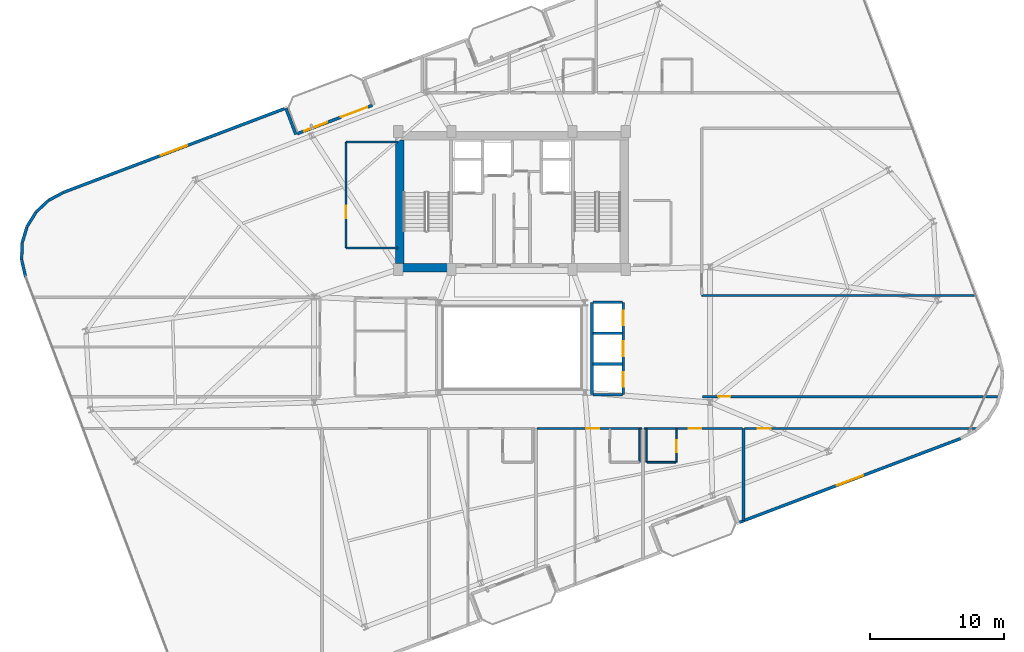
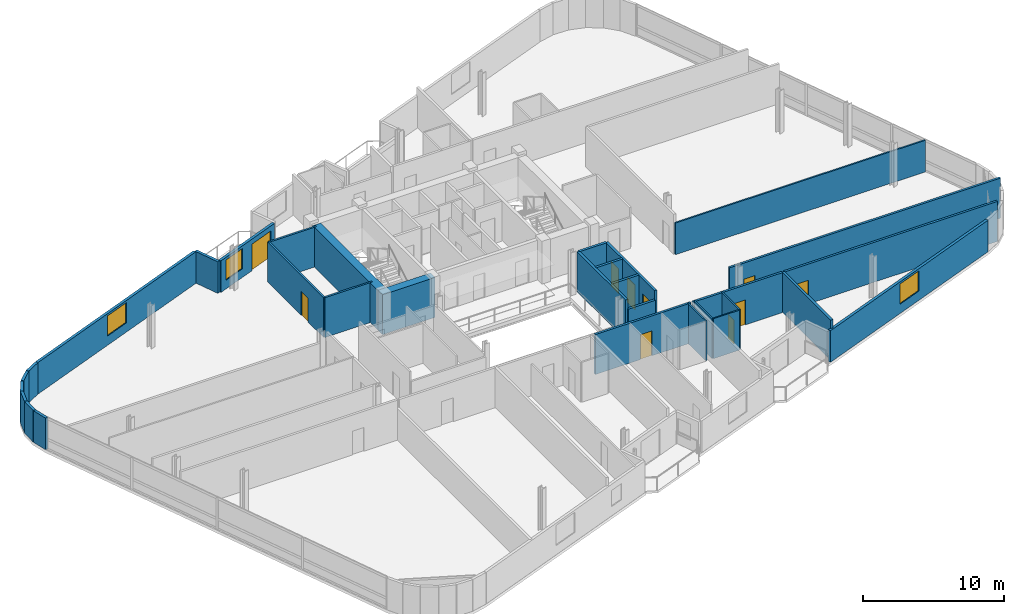
# One storey, part 19 of 24: 31 walls, 10 doors, 3 windows, 13 openings.
"""IFC4 building model written with IfcOpenShell, lengths in metres."""

import ifcopenshell
import ifcopenshell.guid

model = None  # the IFC model being written
_history = None  # IfcOwnerHistory: only IFC2X3 demands one
_inside = {}  # id of a spatial element -> (the spatial element, [elements in it])
_under = {}  # id of a project, library or spatial element -> (it, [spatial elements below it])
_declared = {}  # id of a project -> (the project, [libraries it declares])
_typed = {}  # id of a type object -> (the type object, [elements of that type])
_made_of = {}  # id of a material, layer set ... -> (it, [elements and type objects made of it])


def new_model(schema):
    """Start an empty IFC model of exactly this schema.

    Asked for "IFC4X3", IfcOpenShell would pick the latest addendum, in which some entities
    have other attributes; the version numbers below select the first issue.
    IFC2X3 requires an IfcOwnerHistory on every rooted entity: one is made here for all.
    """
    global model, _history
    if schema == "IFC4X3":
        model = ifcopenshell.file(schema_version=(4, 3, 0, 0))
    else:
        model = ifcopenshell.file(schema=schema)
    _inside.clear()
    _under.clear()
    _declared.clear()
    _typed.clear()
    _made_of.clear()
    _history = None
    if model.schema == "IFC2X3":
        org = make("IfcOrganization", Name="unknown")
        user = make(
            "IfcPersonAndOrganization",
            ThePerson=make("IfcPerson", FamilyName="unknown"),
            TheOrganization=org,
        )
        app = make(
            "IfcApplication",
            ApplicationDeveloper=org,
            Version="unknown",
            ApplicationFullName="unknown",
            ApplicationIdentifier="unknown",
        )
        _history = make(
            "IfcOwnerHistory",
            OwningUser=user,
            OwningApplication=app,
            ChangeAction="ADDED",
            CreationDate=0,
        )
    return model


def make(cls, **values):
    """One entity of the class cls with the attributes given. An attribute that is None is left unset."""
    return model.create_entity(
        cls, **{name: value for name, value in values.items() if value is not None}
    )


def rooted(cls, **values):
    """An entity with a GlobalId (a new one), such as an element, a storey or a relation."""
    return make(cls, GlobalId=ifcopenshell.guid.new(), OwnerHistory=_history, **values)


def si_unit(unit_type, name, prefix=None):
    """IfcSIUnit, for example si_unit("LENGTHUNIT", "METRE", prefix="MILLI")."""
    return make("IfcSIUnit", UnitType=unit_type, Prefix=prefix, Name=name)


def assignment(units):
    """IfcUnitAssignment: the units of a project."""
    return None if units is None else make("IfcUnitAssignment", Units=units)


def point(xyz):
    """IfcCartesianPoint."""
    return None if xyz is None else make("IfcCartesianPoint", Coordinates=xyz)


def direction(xyz):
    """IfcDirection."""
    return None if xyz is None else make("IfcDirection", DirectionRatios=xyz)


def frame(location, z_axis=None, x_axis=None):
    """IfcAxis2Placement3D, a coordinate frame: its origin and axes. An axis left out is left unset."""
    return make(
        "IfcAxis2Placement3D",
        Location=point(location),
        Axis=direction(z_axis),
        RefDirection=direction(x_axis),
    )


def frame_2d(location, x_axis=None):
    """IfcAxis2Placement2D, a coordinate frame in the plane: its origin and x axis."""
    return make(
        "IfcAxis2Placement2D", Location=point(location), RefDirection=direction(x_axis)
    )


def origin():
    """The frame at (0, 0, 0) with its axes left unset."""
    return frame((0.0, 0.0, 0.0))


def place(relative_to, where):
    """IfcLocalPlacement: puts the frame where relative to a parent placement (None: the world)."""
    return make(
        "IfcLocalPlacement", PlacementRelTo=relative_to, RelativePlacement=where
    )


def context(
    kind, dimensions, precision=None, world=None, true_north=None, identifier=None
):
    """IfcGeometricRepresentationContext, for example the 3D "Model" context."""
    return make(
        "IfcGeometricRepresentationContext",
        ContextIdentifier=identifier,
        ContextType=kind,
        CoordinateSpaceDimension=dimensions,
        Precision=precision,
        WorldCoordinateSystem=world,
        TrueNorth=true_north,
    )


def subcontext(parent, identifier, kind, view, scale=None):
    """IfcGeometricRepresentationSubContext, for example "Body" below "Model"."""
    return make(
        "IfcGeometricRepresentationSubContext",
        ContextIdentifier=identifier,
        ContextType=kind,
        ParentContext=parent,
        TargetScale=scale,
        TargetView=view,
    )


def project(units=None, contexts=None):
    """IfcProject with its units and contexts."""
    return rooted(
        "IfcProject",
        Name="project",
        RepresentationContexts=contexts,
        UnitsInContext=assignment(units),
    )


def spatial(cls, under=None, at=None, **own):
    """A site, building, storey or space (cls), placed at a placement, below another one or the project."""
    s = rooted(cls, ObjectPlacement=at, **own)
    if under is not None:
        _under.setdefault(under.id(), (under, []))[1].append(s)
    return s


def profile(cls, at=None, kind="AREA", **sizes):
    """A parametric profile (cls). Its sizes go by their IFC names, for example OverallWidth=200.0."""
    return make(cls, ProfileType=kind, Position=at, **sizes)


def rectangle(**sizes):
    """IfcRectangleProfileDef."""
    return profile("IfcRectangleProfileDef", **sizes)


def extrude(swept, where, along, depth):
    """IfcExtrudedAreaSolid: the profile swept, set in the frame where, extruded along a direction by depth."""
    return make(
        "IfcExtrudedAreaSolid",
        SweptArea=swept,
        Position=where,
        ExtrudedDirection=direction(along),
        Depth=depth,
    )


def shape(context_of_items, identifier, shape_type, items):
    """IfcShapeRepresentation: the items that make up one representation, for example the "Body"."""
    return make(
        "IfcShapeRepresentation",
        ContextOfItems=context_of_items,
        RepresentationIdentifier=identifier,
        RepresentationType=shape_type,
        Items=items,
    )


def material(Name=None, Category=None):
    """IfcMaterial."""
    return make("IfcMaterial", Name=Name, Category=Category)


def layer(
    of_material, thickness, ventilated=None, Name=None, Category=None, Priority=None
):
    """IfcMaterialLayer: one layer of a wall or slab, of a material (None: an air gap)."""
    return make(
        "IfcMaterialLayer",
        Material=of_material,
        LayerThickness=thickness,
        IsVentilated=ventilated,
        Name=Name,
        Category=Category,
        Priority=Priority,
    )


def layer_set(layers, Name=None):
    """IfcMaterialLayerSet."""
    return make("IfcMaterialLayerSet", MaterialLayers=layers, LayerSetName=Name)


def made_of(thing, what):
    """Note that an element or type object is made of a material, layer set ...; save() writes the relation."""
    if what is not None:
        _made_of.setdefault(what.id(), (what, []))[1].append(thing)
    return thing


def type_object(cls, material=None, **own):
    """A type object (cls), such as IfcWallType, which elements share."""
    return made_of(rooted(cls, **own), material)


def element(
    cls,
    number,
    at=None,
    inside=None,
    cuts=None,
    type_object=None,
    material=None,
    context=None,
    identifier="Body",
    shape_type=None,
    held_by="IfcProductDefinitionShape",
    body=None,
    shapes=None,
    **own,
):
    """One element of the class cls, such as IfcWall. Its Tag is "e" and its number.

    at: its placement. inside: the storey or other place that contains it. cuts: it is an
    opening in that element (IfcRelVoidsElement). A single representation is given by context,
    identifier, shape_type and body (its items); several are given by shapes. held_by: the class
    of the entity that holds the representations. save() writes the other relations.
    """
    e = rooted(cls, Tag="e%d" % number, ObjectPlacement=at, **own)
    if body is not None:
        shapes = [shape(context, identifier, shape_type, body)]
    if shapes is not None:
        e.Representation = make(held_by, Representations=shapes)
    if inside is not None:
        _inside.setdefault(inside.id(), (inside, []))[1].append(e)
    if cuts is not None:
        rooted(
            "IfcRelVoidsElement", RelatingBuildingElement=cuts, RelatedOpeningElement=e
        )
    if type_object is not None:
        _typed.setdefault(type_object.id(), (type_object, []))[1].append(e)
    return made_of(e, material)


def fill(opening, filler):
    """IfcRelFillsElement: the door or window that sits in an opening."""
    return rooted(
        "IfcRelFillsElement",
        RelatingOpeningElement=opening,
        RelatedBuildingElement=filler,
    )


def aggregate(whole, parts):
    """IfcRelAggregates: a whole, such as a stair, and the parts it consists of."""
    return rooted("IfcRelAggregates", RelatingObject=whole, RelatedObjects=parts)


def save(model, path):
    """Write the relations noted so far, then the file.

    IfcRelAggregates (storeys below a building ...), IfcRelContainedInSpatialStructure (elements
    in a storey), IfcRelDefinesByType, IfcRelAssociatesMaterial and IfcRelDeclares: one each for
    every whole, place, type object, material and project.
    """
    for whole, parts in _under.values():
        aggregate(whole, parts)
    for where, things in _inside.values():
        rooted(
            "IfcRelContainedInSpatialStructure",
            RelatedElements=things,
            RelatingStructure=where,
        )
    for kind, things in _typed.values():
        rooted("IfcRelDefinesByType", RelatedObjects=things, RelatingType=kind)
    for what, things in _made_of.values():
        rooted("IfcRelAssociatesMaterial", RelatedObjects=things, RelatingMaterial=what)
    for by, libraries in _declared.values():
        rooted("IfcRelDeclares", RelatingContext=by, RelatedDefinitions=libraries)
    model.write(path)


model = new_model("IFC4")

# Units and contexts
model_context = context("Model", 3, precision=1e-05, world=origin(), true_north=direction((0.0, 1.0)))
body_context = subcontext(model_context, "Body", "Model", "MODEL_VIEW")
ifc_project = project(units=[si_unit("LENGTHUNIT", "METRE"), si_unit("AREAUNIT", "SQUARE_METRE"), si_unit("VOLUMEUNIT", "CUBIC_METRE"), si_unit("PLANEANGLEUNIT", "RADIAN"), si_unit("MASSUNIT", "GRAM", prefix="KILO")], contexts=[model_context])

# Site, building, storey
site_placement = place(None, origin())
site = spatial("IfcSite", under=ifc_project, at=site_placement, CompositionType="ELEMENT")
building_placement = place(site_placement, origin())
building = spatial("IfcBuilding", under=site, at=building_placement, Name="Varnelok Gate Tower", CompositionType="ELEMENT")
storey_placement = place(building_placement, frame((0.0, 0.0, 242.300048828125)))
storey = spatial("IfcBuildingStorey", under=building, at=storey_placement, Name="L62", CompositionType="ELEMENT", Elevation=242.300048828125)

# Wall, openings, door, window
ifc_material_1 = material(Name="Concrete C45/55", Category="concrete")
ifc_layer_1 = layer(ifc_material_1, 0.219970703125)
ifc_layer_set_1 = layer_set([ifc_layer_1], Name="Concrete C45/55")
wall_type_1 = type_object("IfcWallType", Name="EW-BALC-220", PredefinedType="SOLIDWALL", material=ifc_layer_set_1)
wall_1_placement = place(storey_placement, frame((23.1494140625, 38.88720703125, 0.0), z_axis=(0.0, 0.0, 1.0), x_axis=(0.9352192676, 0.354069091436, 0.0)))
wall_1 = element("IfcWall", 1, at=wall_1_placement, inside=storey, type_object=wall_type_1, Name="L62 North Terrace Envelope Wall 3", PredefinedType="SOLIDWALL", context=body_context, shape_type="SweptSolid", body=[
    extrude(rectangle(XDim=6.000244140625, YDim=0.219970703125, at=frame_2d((3.0, 0.0))), origin(), (0.0, 0.0, 1.0), 2.72998046875),
])
opening_1_placement = place(wall_1_placement, frame((3.5, 0.0, 0.0)))
opening_1 = element("IfcOpeningElement", 2, at=opening_1_placement, cuts=wall_1, Name="Opening BD-2", PredefinedType="OPENING", context=body_context, shape_type="SweptSolid", body=[
    extrude(rectangle(XDim=2.10009765625, YDim=2.300048828125, at=frame_2d((1.050048828125, 1.14990234375))), frame((0.0, 0.119873046875, 0.0), z_axis=(0.0, -1.0, 0.0), x_axis=(1.0, 0.0, 0.0)), (0.0, 0.0, 1.0), 0.239990234375),
])
opening_2_placement = place(wall_1_placement, frame((0.550048828125, 0.0, 0.75)))
opening_2 = element("IfcOpeningElement", 3, at=opening_2_placement, cuts=wall_1, Name="Opening WN5", PredefinedType="OPENING", context=body_context, shape_type="SweptSolid", body=[
    extrude(rectangle(XDim=1.85009765625, YDim=1.75, at=frame_2d((0.925048828125, 0.875))), frame((0.0, 0.119873046875, 0.0), z_axis=(0.0, -1.0, 0.0), x_axis=(1.0, 0.0, 0.0)), (0.0, 0.0, 1.0), 0.239990234375),
])
ifc_material_2 = material(Name="Anodized Aluminum Alloy 6063-T6", Category="aluminium")
door_type_1 = type_object("IfcDoorType", Name="DR-EXT-SLID2100", OperationType="SLIDING_TO_LEFT", PredefinedType="DOOR", material=ifc_material_2)
door_1_placement = place(opening_1_placement, origin())
door_1 = element("IfcDoor", 4, at=door_1_placement, inside=storey, type_object=door_type_1, Name="L62 North Balcony Glazed Door 3", OperationType="SLIDING_TO_LEFT", OverallHeight=2.300048828125, OverallWidth=2.10009765625, PredefinedType="DOOR", context=body_context, shape_type="SweptSolid", body=[
    extrude(rectangle(XDim=2.10009765625, YDim=2.300048828125, at=frame_2d((1.050048828125, 1.14990234375))), frame((0.0, 0.02490234375, 0.0), z_axis=(0.0, -1.0, 0.0), x_axis=(1.0, 0.0, 0.0)), (0.0, 0.0, 1.0), 0.050048828125),
])
fill(opening_1, door_1)
ifc_material_3 = material(Name="Low-E Laminated Double Glazing IGU", Category="glass")
window_type_1 = type_object("IfcWindowType", Name="WN-RES-1850", PartitioningType="SINGLE_PANEL", PredefinedType="WINDOW", material=ifc_material_3)
window_1_placement = place(opening_2_placement, origin())
window_1 = element("IfcWindow", 5, at=window_1_placement, inside=storey, type_object=window_type_1, Name="L62 North Vision Window 3.1", OverallHeight=1.75, OverallWidth=1.85009765625, PartitioningType="SINGLE_PANEL", PredefinedType="WINDOW", context=body_context, shape_type="SweptSolid", body=[
    extrude(rectangle(XDim=1.85009765625, YDim=1.75, at=frame_2d((0.925048828125, 0.875))), frame((0.0, 0.030029296875, 0.0), z_axis=(0.0, -1.0, 0.0), x_axis=(1.0, 0.0, 0.0)), (0.0, 0.0, 1.0), 0.06005859375),
])
fill(opening_2, window_1)

# Wall, opening, window
wall_2_placement = place(storey_placement, frame((56.219482421875, 9.844970703125, 0.0), z_axis=(0.0, 0.0, 1.0), x_axis=(0.935225601791, 0.354052360188, 0.0)))
wall_2 = element("IfcWall", 6, at=wall_2_placement, inside=storey, type_object=wall_type_1, Name="L62 Perimeter Facade Closure Wall 13", PredefinedType="SOLIDWALL", context=body_context, shape_type="SweptSolid", body=[
    extrude(rectangle(XDim=17.647216796875, YDim=0.219970703125, at=frame_2d((8.82373046875, 0.0))), origin(), (0.0, 0.0, 1.0), 2.72998046875),
])
opening_3_placement = place(wall_2_placement, frame((7.773681640625, 0.0, 0.800048828125)))
opening_3 = element("IfcOpeningElement", 7, at=opening_3_placement, cuts=wall_2, Name="Opening WN4", PredefinedType="OPENING", context=body_context, shape_type="SweptSolid", body=[
    extrude(rectangle(XDim=2.10009765625, YDim=1.75, at=frame_2d((1.050048828125, 0.875))), frame((0.0, 0.119873046875, 0.0), z_axis=(0.0, -1.0, 0.0), x_axis=(1.0, 0.0, 0.0)), (0.0, 0.0, 1.0), 0.239990234375),
])
window_type_2 = type_object("IfcWindowType", Name="WN-SUI-2100", PartitioningType="SINGLE_PANEL", PredefinedType="WINDOW", material=ifc_material_3)
window_2_placement = place(opening_3_placement, origin())
window_2 = element("IfcWindow", 8, at=window_2_placement, inside=storey, type_object=window_type_2, Name="L62 Perimeter Vision Window 13", OverallHeight=1.75, OverallWidth=2.10009765625, PartitioningType="SINGLE_PANEL", PredefinedType="WINDOW", context=body_context, shape_type="SweptSolid", body=[
    extrude(rectangle(XDim=2.10009765625, YDim=1.75, at=frame_2d((1.050048828125, 0.875))), frame((0.0, 0.030029296875, 0.0), z_axis=(0.0, -1.0, 0.0), x_axis=(1.0, 0.0, 0.0)), (0.0, 0.0, 1.0), 0.06005859375),
])
fill(opening_3, window_2)

# Wall
wall_3_placement = place(storey_placement, frame((23.041015625, 38.83544921875, 0.0), z_axis=(0.0, 0.0, 1.0), x_axis=(-0.354128469405, 0.935196785258, 0.0)))
element("IfcWall", 9, at=wall_3_placement, inside=storey, type_object=wall_type_1, Name="L62 Perimeter Facade Closure Wall 31", PredefinedType="SOLIDWALL", context=body_context, shape_type="SweptSolid", body=[
    extrude(rectangle(XDim=2.099853515625, YDim=0.219970703125, at=frame_2d((1.0498046875, 0.0))), origin(), (0.0, 0.0, 1.0), 2.72998046875),
])

# Wall, opening, window
wall_4_placement = place(storey_placement, frame((22.180419921875, 40.755126953125, 0.0), z_axis=(0.0, 0.0, 1.0), x_axis=(-0.935223867561, -0.354056941104, 0.0)))
wall_4 = element("IfcWall", 10, at=wall_4_placement, inside=storey, type_object=wall_type_1, Name="L62 Perimeter Facade Closure Wall 32", PredefinedType="SOLIDWALL", context=body_context, shape_type="SweptSolid", body=[
    extrude(rectangle(XDim=17.64697265625, YDim=0.219970703125, at=frame_2d((8.823486328125, 0.0))), origin(), (0.0, 0.0, 1.0), 2.72998046875),
])
opening_4_placement = place(wall_4_placement, frame((7.773681640625, 0.0, 0.800048828125)))
opening_4 = element("IfcOpeningElement", 11, at=opening_4_placement, cuts=wall_4, Name="Opening WN4", PredefinedType="OPENING", context=body_context, shape_type="SweptSolid", body=[
    extrude(rectangle(XDim=2.10009765625, YDim=1.75, at=frame_2d((1.050048828125, 0.875))), frame((0.0, 0.119873046875, 0.0), z_axis=(0.0, -1.0, 0.0), x_axis=(1.0, 0.0, 0.0)), (0.0, 0.0, 1.0), 0.239990234375),
])
window_3_placement = place(opening_4_placement, origin())
window_3 = element("IfcWindow", 12, at=window_3_placement, inside=storey, type_object=window_type_2, Name="L62 Perimeter Vision Window 32", OverallHeight=1.75, OverallWidth=2.10009765625, PartitioningType="SINGLE_PANEL", PredefinedType="WINDOW", context=body_context, shape_type="SweptSolid", body=[
    extrude(rectangle(XDim=2.10009765625, YDim=1.75, at=frame_2d((1.050048828125, 0.875))), frame((0.0, 0.030029296875, 0.0), z_axis=(0.0, -1.0, 0.0), x_axis=(1.0, 0.0, 0.0)), (0.0, 0.0, 1.0), 0.06005859375),
])
fill(opening_4, window_3)

# Walls
wall_5_placement = place(storey_placement, frame((5.654296875, 34.4951171875, 0.0), z_axis=(0.0, 0.0, 1.0), x_axis=(-0.88098842986, -0.473137809155, 0.0)))
element("IfcWall", 13, at=wall_5_placement, inside=storey, type_object=wall_type_1, Name="L62 Perimeter Facade Closure Wall 33", PredefinedType="SOLIDWALL", context=body_context, shape_type="SweptSolid", body=[
    extrude(rectangle(XDim=1.25634765625, YDim=0.219970703125, at=frame_2d((0.628173828125, 0.0))), origin(), (0.0, 0.0, 1.0), 2.72998046875),
])
wall_6_placement = place(storey_placement, frame((4.529052734375, 33.883544921875, 0.0), z_axis=(0.0, 0.0, 1.0), x_axis=(-0.728475443486, -0.685071914647, 0.0)))
element("IfcWall", 14, at=wall_6_placement, inside=storey, type_object=wall_type_1, Name="L62 Perimeter Facade Closure Wall 34", PredefinedType="SOLIDWALL", context=body_context, shape_type="SweptSolid", body=[
    extrude(rectangle(XDim=1.248779296875, YDim=0.219970703125, at=frame_2d((0.62451171875, 0.0))), origin(), (0.0, 0.0, 1.0), 2.72998046875),
])
wall_7_placement = place(storey_placement, frame((3.606201171875, 33.0068359375, 0.0), z_axis=(0.0, 0.0, 1.0), x_axis=(-0.526408468713, -0.850231806078, 0.0)))
element("IfcWall", 15, at=wall_7_placement, inside=storey, type_object=wall_type_1, Name="L62 Perimeter Facade Closure Wall 35", PredefinedType="SOLIDWALL", context=body_context, shape_type="SweptSolid", body=[
    extrude(rectangle(XDim=1.24853515625, YDim=0.219970703125, at=frame_2d((0.624267578125, 0.0))), origin(), (0.0, 0.0, 1.0), 2.72998046875),
])
wall_8_placement = place(storey_placement, frame((2.941650390625, 31.92138671875, 0.0), z_axis=(0.0, 0.0, 1.0), x_axis=(-0.288352095019, -0.957524448408, 0.0)))
element("IfcWall", 16, at=wall_8_placement, inside=storey, type_object=wall_type_1, Name="L62 Perimeter Facade Closure Wall 36", PredefinedType="SOLIDWALL", context=body_context, shape_type="SweptSolid", body=[
    extrude(rectangle(XDim=1.248779296875, YDim=0.219970703125, at=frame_2d((0.62451171875, 0.0))), origin(), (0.0, 0.0, 1.0), 2.72998046875),
])
wall_9_placement = place(storey_placement, frame((2.580810546875, 30.70068359375, 0.0), z_axis=(0.0, 0.0, 1.0), x_axis=(-0.030697576053, -0.999528718359, 0.0)))
element("IfcWall", 17, at=wall_9_placement, inside=storey, type_object=wall_type_1, Name="L62 Perimeter Facade Closure Wall 37", PredefinedType="SOLIDWALL", context=body_context, shape_type="SweptSolid", body=[
    extrude(rectangle(XDim=1.24853515625, YDim=0.219970703125, at=frame_2d((0.624267578125, 0.0))), origin(), (0.0, 0.0, 1.0), 2.72998046875),
])
wall_10_placement = place(storey_placement, frame((2.548095703125, 29.428466796875, 0.0), z_axis=(0.0, 0.0, 1.0), x_axis=(0.228941257463, -0.973440239887, 0.0)))
element("IfcWall", 18, at=wall_10_placement, inside=storey, type_object=wall_type_1, Name="L62 Perimeter Facade Closure Wall 38", PredefinedType="SOLIDWALL", context=body_context, shape_type="SweptSolid", body=[
    extrude(rectangle(XDim=1.248779296875, YDim=0.219970703125, at=frame_2d((0.62451171875, 0.0))), origin(), (0.0, 0.0, 1.0), 2.72998046875),
])

# Wall, opening, door
ifc_material_4 = material(Name="Gypsum Plasterboard Acoustic Partition", Category="gypsum")
ifc_layer_2 = layer(ifc_material_4, 0.179931640625)
ifc_layer_set_2 = layer_set([ifc_layer_2], Name="Gypsum Plasterboard Acoustic Partition")
wall_type_2 = type_object("IfcWallType", Name="PW-CORR-180", PredefinedType="PARTITIONING", material=ifc_layer_set_2)
wall_11_placement = place(storey_placement, frame((41.080078125, 16.85009765625, 0.0), z_axis=(0.0, 0.0, 1.0), x_axis=(1.0, 0.0, 0.0)))
wall_11 = element("IfcWall", 19, at=wall_11_placement, inside=storey, type_object=wall_type_2, Name="Interior Partition", PredefinedType="PARTITIONING", context=body_context, shape_type="SweptSolid", body=[
    extrude(rectangle(XDim=7.83984375, YDim=0.179931640625, at=frame_2d((3.919921875, 0.0))), origin(), (0.0, 0.0, 1.0), 3.449951171875),
])
opening_5_placement = place(wall_11_placement, frame((3.679931640625, 0.0, 0.0)))
opening_5 = element("IfcOpeningElement", 20, at=opening_5_placement, cuts=wall_11, Name="Opening D-HT", PredefinedType="OPENING", context=body_context, shape_type="SweptSolid", body=[
    extrude(rectangle(XDim=0.949951171875, YDim=2.14990234375, at=frame_2d((0.47509765625, 1.074951171875))), frame((0.0, 0.099853515625, 0.0), z_axis=(0.0, -1.0, 0.0), x_axis=(1.0, 0.0, 0.0)), (0.0, 0.0, 1.0), 0.199951171875),
])
ifc_material_5 = material(Name="Engineered Hardwood Timber", Category="wood")
door_type_2 = type_object("IfcDoorType", Name="DR-HTL-950", OperationType="NOTDEFINED", PredefinedType="DOOR", material=ifc_material_5)
door_2_placement = place(opening_5_placement, origin())
door_2 = element("IfcDoor", 21, at=door_2_placement, inside=storey, type_object=door_type_2, Name="L62 Guest Room 04 Entrance Door", OperationType="SINGLE_SWING_LEFT", OverallHeight=2.14990234375, OverallWidth=0.949951171875, PredefinedType="DOOR", context=body_context, shape_type="SweptSolid", body=[
    extrude(rectangle(XDim=0.949951171875, YDim=2.14990234375, at=frame_2d((0.47509765625, 1.074951171875))), frame((0.0, 0.02490234375, 0.0), z_axis=(0.0, -1.0, 0.0), x_axis=(1.0, 0.0, 0.0)), (0.0, 0.0, 1.0), 0.050048828125),
])
fill(opening_5, door_2)

wall_12_placement = place(storey_placement, frame((49.080078125, 16.85009765625, 0.0), z_axis=(0.0, 0.0, 1.0), x_axis=(1.0, 0.0, 0.0)))
wall_12 = element("IfcWall", 22, at=wall_12_placement, inside=storey, type_object=wall_type_2, Name="Interior Partition", PredefinedType="PARTITIONING", context=body_context, shape_type="SweptSolid", body=[
    extrude(rectangle(XDim=7.33984375, YDim=0.179931640625, at=frame_2d((3.669921875, 0.0))), origin(), (0.0, 0.0, 1.0), 3.449951171875),
])
opening_6_placement = place(wall_12_placement, frame((3.322021484375, 0.0, 0.0)))
opening_6 = element("IfcOpeningElement", 23, at=opening_6_placement, cuts=wall_12, Name="Opening D-HT", PredefinedType="OPENING", context=body_context, shape_type="SweptSolid", body=[
    extrude(rectangle(XDim=0.949951171875, YDim=2.14990234375, at=frame_2d((0.47509765625, 1.074951171875))), frame((0.0, 0.099853515625, 0.0), z_axis=(0.0, -1.0, 0.0), x_axis=(1.0, 0.0, 0.0)), (0.0, 0.0, 1.0), 0.199951171875),
])
door_3_placement = place(opening_6_placement, origin())
door_3 = element("IfcDoor", 24, at=door_3_placement, inside=storey, type_object=door_type_2, Name="L62 Guest Room 05 Entrance Door", OperationType="SINGLE_SWING_RIGHT", OverallHeight=2.14990234375, OverallWidth=0.949951171875, PredefinedType="DOOR", context=body_context, shape_type="SweptSolid", body=[
    extrude(rectangle(XDim=0.949951171875, YDim=2.14990234375, at=frame_2d((0.47509765625, 1.074951171875))), frame((0.0, 0.02490234375, 0.0), z_axis=(0.0, -1.0, 0.0), x_axis=(1.0, 0.0, 0.0)), (0.0, 0.0, 1.0), 0.050048828125),
])
fill(opening_6, door_3)

wall_13_placement = place(storey_placement, frame((56.580078125, 16.85009765625, 0.0), z_axis=(0.0, 0.0, 1.0), x_axis=(1.0, 0.0, 0.0)))
wall_13 = element("IfcWall", 25, at=wall_13_placement, inside=storey, type_object=wall_type_2, Name="Interior Partition", PredefinedType="PARTITIONING", context=body_context, shape_type="SweptSolid", body=[
    extrude(rectangle(XDim=17.403564453125, YDim=0.179931640625, at=frame_2d((8.70166015625, 0.0))), origin(), (0.0, 0.0, 1.0), 3.449951171875),
])
opening_7_placement = place(wall_13_placement, frame((0.9951171875, 0.0, 0.0)))
opening_7 = element("IfcOpeningElement", 26, at=opening_7_placement, cuts=wall_13, Name="Opening D-I2", PredefinedType="OPENING", context=body_context, shape_type="SweptSolid", body=[
    extrude(rectangle(XDim=0.949951171875, YDim=2.050048828125, at=frame_2d((0.47509765625, 1.02490234375))), frame((0.0, 0.099853515625, 0.0), z_axis=(0.0, -1.0, 0.0), x_axis=(1.0, 0.0, 0.0)), (0.0, 0.0, 1.0), 0.199951171875),
])
door_type_3 = type_object("IfcDoorType", Name="DR-INT-950", OperationType="NOTDEFINED", PredefinedType="DOOR", material=ifc_material_5)
door_4_placement = place(opening_7_placement, origin())
door_4 = element("IfcDoor", 27, at=door_4_placement, inside=storey, type_object=door_type_3, Name="L62 Hotel Business Center Door", OperationType="SINGLE_SWING_LEFT", OverallHeight=2.050048828125, OverallWidth=0.949951171875, PredefinedType="DOOR", context=body_context, shape_type="SweptSolid", body=[
    extrude(rectangle(XDim=0.949951171875, YDim=2.050048828125, at=frame_2d((0.47509765625, 1.02490234375))), frame((0.0, 0.02490234375, 0.0), z_axis=(0.0, -1.0, 0.0), x_axis=(1.0, 0.0, 0.0)), (0.0, 0.0, 1.0), 0.050048828125),
])
fill(opening_7, door_4)

wall_14_placement = place(storey_placement, frame((53.449951171875, 19.239990234375, 0.0), z_axis=(0.0, 0.0, 1.0), x_axis=(1.0, 0.0, 0.0)))
wall_14 = element("IfcWall", 28, at=wall_14_placement, inside=storey, type_object=wall_type_2, Name="Interior Partition", PredefinedType="PARTITIONING", context=body_context, shape_type="SweptSolid", body=[
    extrude(rectangle(XDim=22.156494140625, YDim=0.179931640625, at=frame_2d((11.078125, 0.0))), origin(), (0.0, 0.0, 1.0), 3.449951171875),
])
opening_8_placement = place(wall_14_placement, frame((1.14990234375, 0.0, 0.0)))
opening_8 = element("IfcOpeningElement", 29, at=opening_8_placement, cuts=wall_14, Name="Opening D-I3", PredefinedType="OPENING", context=body_context, shape_type="SweptSolid", body=[
    extrude(rectangle(XDim=0.919921875, YDim=2.050048828125, at=frame_2d((0.4599609375, 1.02490234375))), frame((0.0, 0.099853515625, 0.0), z_axis=(0.0, -1.0, 0.0), x_axis=(1.0, 0.0, 0.0)), (0.0, 0.0, 1.0), 0.199951171875),
])
door_type_4 = type_object("IfcDoorType", Name="DR-INT-920", OperationType="NOTDEFINED", PredefinedType="DOOR", material=ifc_material_5)
door_5_placement = place(opening_8_placement, origin())
door_5 = element("IfcDoor", 30, at=door_5_placement, inside=storey, type_object=door_type_4, Name="L62 East Studio Door", OperationType="SINGLE_SWING_LEFT", OverallHeight=2.050048828125, OverallWidth=0.919921875, PredefinedType="DOOR", context=body_context, shape_type="SweptSolid", body=[
    extrude(rectangle(XDim=0.919921875, YDim=2.050048828125, at=frame_2d((0.4599609375, 1.02490234375))), frame((0.0, 0.02490234375, 0.0), z_axis=(0.0, -1.0, 0.0), x_axis=(1.0, 0.0, 0.0)), (0.0, 0.0, 1.0), 0.050048828125),
])
fill(opening_8, door_5)

# Walls
ifc_layer_3 = layer(ifc_material_4, 0.114990234375)
ifc_layer_set_3 = layer_set([ifc_layer_3], Name="Gypsum Plasterboard Acoustic Partition")
wall_type_3 = type_object("IfcWallType", Name="PW-ENS-125", PredefinedType="PARTITIONING", material=ifc_layer_set_3)
wall_15_placement = place(storey_placement, frame((48.739990234375, 14.330078125, 0.0), z_axis=(0.0, 0.0, 1.0), x_axis=(0.0, 1.0, 0.0)))
element("IfcWall", 31, at=wall_15_placement, inside=storey, type_object=wall_type_3, Name="Interior Partition", PredefinedType="PARTITIONING", context=body_context, shape_type="SweptSolid", body=[
    extrude(rectangle(XDim=2.52001953125, YDim=0.114990234375, at=frame_2d((1.260009765625, 0.0))), origin(), (0.0, 0.0, 1.0), 3.449951171875),
])
wall_16_placement = place(storey_placement, frame((49.300048828125, 14.330078125, 0.0), z_axis=(0.0, 0.0, 1.0), x_axis=(1.0, 0.0, 0.0)))
element("IfcWall", 32, at=wall_16_placement, inside=storey, type_object=wall_type_3, Name="Interior Partition", PredefinedType="PARTITIONING", context=body_context, shape_type="SweptSolid", body=[
    extrude(rectangle(XDim=2.14990234375, YDim=0.114990234375, at=frame_2d((1.074951171875, 0.0))), origin(), (0.0, 0.0, 1.0), 3.449951171875),
])

# Wall, opening, door
wall_17_placement = place(storey_placement, frame((51.489990234375, 14.330078125, 0.0), z_axis=(0.0, 0.0, 1.0), x_axis=(0.0, 1.0, 0.0)))
wall_17 = element("IfcWall", 33, at=wall_17_placement, inside=storey, type_object=wall_type_3, Name="Interior Partition", PredefinedType="PARTITIONING", context=body_context, shape_type="SweptSolid", body=[
    extrude(rectangle(XDim=2.52001953125, YDim=0.114990234375, at=frame_2d((1.260009765625, 0.0))), origin(), (0.0, 0.0, 1.0), 3.449951171875),
])
opening_9_placement = place(wall_17_placement, frame((0.760009765625, 0.0, 0.0)))
opening_9 = element("IfcOpeningElement", 34, at=opening_9_placement, cuts=wall_17, Name="Opening D-WC", PredefinedType="OPENING", context=body_context, shape_type="SweptSolid", body=[
    extrude(rectangle(XDim=0.89990234375, YDim=2.050048828125, at=frame_2d((0.449951171875, 1.02490234375))), frame((0.0, 0.0673828125, 0.0), z_axis=(0.0, -1.0, 0.0), x_axis=(1.0, 0.0, 0.0)), (0.0, 0.0, 1.0), 0.135009765625),
])
door_type_5 = type_object("IfcDoorType", Name="DR-BATH-900", OperationType="NOTDEFINED", PredefinedType="DOOR", material=ifc_material_5)
door_6_placement = place(opening_9_placement, origin())
door_6 = element("IfcDoor", 35, at=door_6_placement, inside=storey, type_object=door_type_5, Name="L62 Guest En-Suite 05 Door", OperationType="SINGLE_SWING_LEFT", OverallHeight=2.050048828125, OverallWidth=0.89990234375, PredefinedType="DOOR", context=body_context, shape_type="SweptSolid", body=[
    extrude(rectangle(XDim=0.89990234375, YDim=2.050048828125, at=frame_2d((0.449951171875, 1.02490234375))), frame((0.0, 0.02490234375, 0.0), z_axis=(0.0, -1.0, 0.0), x_axis=(1.0, 0.0, 0.0)), (0.0, 0.0, 1.0), 0.050048828125),
])
fill(opening_9, door_6)

# Walls
wall_18_placement = place(storey_placement, frame((49.260009765625, 14.330078125, 0.0), z_axis=(0.0, 0.0, 1.0), x_axis=(0.0, 1.0, 0.0)))
element("IfcWall", 36, at=wall_18_placement, inside=storey, type_object=wall_type_3, Name="Interior Partition", PredefinedType="PARTITIONING", context=body_context, shape_type="SweptSolid", body=[
    extrude(rectangle(XDim=2.52001953125, YDim=0.114990234375, at=frame_2d((1.260009765625, 0.0))), origin(), (0.0, 0.0, 1.0), 3.449951171875),
])
ifc_layer_4 = layer(ifc_material_4, 0.125)
ifc_layer_set_4 = layer_set([ifc_layer_4], Name="Gypsum Plasterboard Acoustic Partition")
wall_type_4 = type_object("IfcWallType", Name="PW-PART-125", PredefinedType="PARTITIONING", material=ifc_layer_set_4)
wall_19_placement = place(storey_placement, frame((53.389892578125, 26.800048828125, 0.0), z_axis=(0.0, 0.0, 1.0), x_axis=(1.0, 0.0, 0.0)))
element("IfcWall", 37, at=wall_19_placement, inside=storey, type_object=wall_type_4, Name="Interior Partition", PredefinedType="PARTITIONING", context=body_context, shape_type="SweptSolid", body=[
    extrude(rectangle(XDim=20.4453125, YDim=0.125, at=frame_2d((10.22265625, 0.0))), origin(), (0.0, 0.0, 1.0), 2.739013671875),
])
ifc_layer_5 = layer(ifc_material_4, 0.14990234375)
ifc_layer_set_5 = layer_set([ifc_layer_5], Name="Gypsum Plasterboard Acoustic Partition")
wall_type_5 = type_object("IfcWallType", Name="PW-PART-150", PredefinedType="PARTITIONING", material=ifc_layer_set_5)
for number, where, z_axis, x_axis, name in (
    (38, (26.780029296875, 30.360107421875, 0.0), (0.0, 0.0, 1.0), (1.0, 0.0, 0.0), "Interior Partition"),
    (39, (26.780029296875, 38.260009765625, 0.0), (0.0, 0.0, 1.0), (1.0, 0.0, 0.0), "Interior Partition"),
):
    element("IfcWall", number, at=place(storey_placement, frame(where, z_axis=z_axis, x_axis=x_axis)), inside=storey, type_object=wall_type_5, Name=name, PredefinedType="PARTITIONING", context=body_context, shape_type="SweptSolid", body=[
        extrude(rectangle(XDim=3.89990234375, YDim=0.14990234375, at=frame_2d((1.949951171875, 0.0))), origin(), (0.0, 0.0, 1.0), 3.449951171875),
    ])

# Wall, opening, door
wall_20_placement = place(storey_placement, frame((26.780029296875, 30.360107421875, 0.0), z_axis=(0.0, 0.0, 1.0), x_axis=(0.0, 1.0, 0.0)))
wall_20 = element("IfcWall", 40, at=wall_20_placement, inside=storey, type_object=wall_type_5, Name="Interior Partition", PredefinedType="PARTITIONING", context=body_context, shape_type="SweptSolid", body=[
    extrude(rectangle(XDim=7.89990234375, YDim=0.14990234375, at=frame_2d((3.949951171875, 0.0))), origin(), (0.0, 0.0, 1.0), 3.449951171875),
])
opening_10_placement = place(wall_20_placement, frame((2.199951171875, 0.0, 0.0)))
opening_10 = element("IfcOpeningElement", 41, at=opening_10_placement, cuts=wall_20, Name="Opening D-I2", PredefinedType="OPENING", context=body_context, shape_type="SweptSolid", body=[
    extrude(rectangle(XDim=0.949951171875, YDim=2.050048828125, at=frame_2d((0.47509765625, 1.02490234375))), frame((0.0, 0.0849609375, 0.0), z_axis=(0.0, -1.0, 0.0), x_axis=(1.0, 0.0, 0.0)), (0.0, 0.0, 1.0), 0.169921875),
])
door_7_placement = place(opening_10_placement, origin())
door_7 = element("IfcDoor", 42, at=door_7_placement, inside=storey, type_object=door_type_3, Name="L62 Core Valet Door", OperationType="SINGLE_SWING_RIGHT", OverallHeight=2.050048828125, OverallWidth=0.949951171875, PredefinedType="DOOR", context=body_context, shape_type="SweptSolid", body=[
    extrude(rectangle(XDim=0.949951171875, YDim=2.050048828125, at=frame_2d((0.47509765625, 1.02490234375))), frame((0.0, 0.02490234375, 0.0), z_axis=(0.0, -1.0, 0.0), x_axis=(1.0, 0.0, 0.0)), (0.0, 0.0, 1.0), 0.050048828125),
])
fill(opening_10, door_7)

# Walls
ifc_layer_6 = layer(ifc_material_4, 0.205078125)
ifc_layer_set_6 = layer_set([ifc_layer_6], Name="Gypsum Plasterboard Acoustic Partition")
wall_type_6 = type_object("IfcWallType", Name="PW-PARTY-200", PredefinedType="PARTITIONING", material=ifc_layer_set_6)
wall_21_placement = place(storey_placement, frame((56.5, 9.972412109375, 0.0), z_axis=(0.0, 0.0, 1.0), x_axis=(0.0, 1.0, 0.0)))
element("IfcWall", 43, at=wall_21_placement, inside=storey, type_object=wall_type_6, Name="L62 South Party Wall 5", PredefinedType="PARTITIONING", context=body_context, shape_type="SweptSolid", body=[
    extrude(rectangle(XDim=6.877685546875, YDim=0.205078125, at=frame_2d((3.43896484375, 0.0))), origin(), (0.0, 0.0, 1.0), 3.449951171875),
])
ifc_material_6 = material(Name="Concrete C35/45", Category="concrete")
ifc_layer_7 = layer(ifc_material_6, 0.199951171875)
ifc_layer_set_7 = layer_set([ifc_layer_7], Name="Concrete C35/45")
wall_type_7 = type_object("IfcWallType", Name="PW-SHAFT-200", PredefinedType="PARTITIONING", material=ifc_layer_set_7)
for number, where, z_axis, x_axis, name in (
    (44, (45.239990234375, 21.675048828125, 0.0), (0.0, 0.0, 1.0), (1.0, 0.0, 0.0), "L62 PH1 Divider"),
    (45, (45.239990234375, 23.97509765625, 0.0), (0.0, 0.0, 1.0), (1.0, 0.0, 0.0), "L62 PH2 Divider"),
):
    element("IfcWall", number, at=place(storey_placement, frame(where, z_axis=z_axis, x_axis=x_axis)), inside=storey, type_object=wall_type_7, Name=name, PredefinedType="PARTITIONING", context=body_context, shape_type="SweptSolid", body=[
        extrude(rectangle(XDim=2.219970703125, YDim=0.199951171875, at=frame_2d((1.10986328125, 0.0))), origin(), (0.0, 0.0, 1.0), 3.449951171875),
    ])
wall_22_placement = place(storey_placement, frame((45.239990234375, 19.3798828125, 0.0), z_axis=(0.0, 0.0, 1.0), x_axis=(1.0, 0.0, 0.0)))
element("IfcWall", 46, at=wall_22_placement, inside=storey, type_object=wall_type_7, Name="L62 PH Bank South Wall", PredefinedType="PARTITIONING", context=body_context, shape_type="SweptSolid", body=[
    extrude(rectangle(XDim=2.219970703125, YDim=0.199951171875, at=frame_2d((1.10986328125, 0.0))), origin(), (0.0, 0.0, 1.0), 2.661865234375),
])
wall_23_placement = place(storey_placement, frame((45.239990234375, 26.280029296875, 0.0), z_axis=(0.0, 0.0, 1.0), x_axis=(1.0, 0.0, 0.0)))
element("IfcWall", 47, at=wall_23_placement, inside=storey, type_object=wall_type_7, Name="L62 PH Bank North Wall", PredefinedType="PARTITIONING", context=body_context, shape_type="SweptSolid", body=[
    extrude(rectangle(XDim=2.219970703125, YDim=0.199951171875, at=frame_2d((1.10986328125, 0.0))), origin(), (0.0, 0.0, 1.0), 3.449951171875),
])
wall_24_placement = place(storey_placement, frame((45.179931640625, 19.3798828125, 0.0), z_axis=(0.0, 0.0, 1.0), x_axis=(0.0, 1.0, 0.0)))
element("IfcWall", 48, at=wall_24_placement, inside=storey, type_object=wall_type_7, Name="L62 PH Bank Atrium Wall", PredefinedType="PARTITIONING", context=body_context, shape_type="SweptSolid", body=[
    extrude(rectangle(XDim=6.900146484375, YDim=0.199951171875, at=frame_2d((3.4501953125, 0.0))), origin(), (0.0, 0.0, 1.0), 3.449951171875),
])

# Wall, openings, doors
wall_25_placement = place(storey_placement, frame((47.52001953125, 19.3798828125, 0.0), z_axis=(0.0, 0.0, 1.0), x_axis=(0.0, 1.0, 0.0)))
wall_25 = element("IfcWall", 49, at=wall_25_placement, inside=storey, type_object=wall_type_7, Name="L62 PH Bank Front Wall", PredefinedType="PARTITIONING", context=body_context, shape_type="SweptSolid", body=[
    extrude(rectangle(XDim=6.900146484375, YDim=0.199951171875, at=frame_2d((3.4501953125, 0.0))), origin(), (0.0, 0.0, 1.0), 3.449951171875),
])
opening_11_placement = place(wall_25_placement, frame((0.590087890625, 0.0, 0.0)))
opening_11 = element("IfcOpeningElement", 50, at=opening_11_placement, cuts=wall_25, Name="Opening LD-PH1", PredefinedType="OPENING", context=body_context, shape_type="SweptSolid", body=[
    extrude(rectangle(XDim=1.10009765625, YDim=2.14990234375, at=frame_2d((0.550048828125, 1.074951171875))), frame((0.0, 0.10986328125, 0.0), z_axis=(0.0, -1.0, 0.0), x_axis=(1.0, 0.0, 0.0)), (0.0, 0.0, 1.0), 0.219970703125),
])
opening_12_placement = place(wall_25_placement, frame((2.889892578125, 0.0, 0.0)))
opening_12 = element("IfcOpeningElement", 51, at=opening_12_placement, cuts=wall_25, Name="Opening LD-PH2", PredefinedType="OPENING", context=body_context, shape_type="SweptSolid", body=[
    extrude(rectangle(XDim=1.10009765625, YDim=2.14990234375, at=frame_2d((0.550048828125, 1.074951171875))), frame((0.0, 0.10986328125, 0.0), z_axis=(0.0, -1.0, 0.0), x_axis=(1.0, 0.0, 0.0)), (0.0, 0.0, 1.0), 0.219970703125),
])
opening_13_placement = place(wall_25_placement, frame((5.18994140625, 0.0, 0.0)))
opening_13 = element("IfcOpeningElement", 52, at=opening_13_placement, cuts=wall_25, Name="Opening LD-PH3", PredefinedType="OPENING", context=body_context, shape_type="SweptSolid", body=[
    extrude(rectangle(XDim=1.10009765625, YDim=2.14990234375, at=frame_2d((0.550048828125, 1.074951171875))), frame((0.0, 0.10986328125, 0.0), z_axis=(0.0, -1.0, 0.0), x_axis=(1.0, 0.0, 0.0)), (0.0, 0.0, 1.0), 0.219970703125),
])
ifc_material_7 = material(Name="Galvanized Steel Grade S350GD", Category="steel")
door_type_6 = type_object("IfcDoorType", Name="DR-LIFT-PAX1100", OperationType="SLIDING_TO_LEFT", PredefinedType="DOOR", material=ifc_material_7)
door_8_placement = place(opening_11_placement, origin())
door_8 = element("IfcDoor", 53, at=door_8_placement, inside=storey, type_object=door_type_6, Name="L62 Passenger Lift Landing Door LD-PH1", OperationType="SLIDING_TO_LEFT", OverallHeight=2.14990234375, OverallWidth=1.10009765625, PredefinedType="DOOR", context=body_context, shape_type="SweptSolid", body=[
    extrude(rectangle(XDim=1.10009765625, YDim=2.14990234375, at=frame_2d((0.550048828125, 1.074951171875))), frame((0.0, 0.02490234375, 0.0), z_axis=(0.0, -1.0, 0.0), x_axis=(1.0, 0.0, 0.0)), (0.0, 0.0, 1.0), 0.050048828125),
])
fill(opening_11, door_8)
door_9_placement = place(opening_12_placement, origin())
door_9 = element("IfcDoor", 54, at=door_9_placement, inside=storey, type_object=door_type_6, Name="L62 Passenger Lift Landing Door LD-PH2", OperationType="SLIDING_TO_LEFT", OverallHeight=2.14990234375, OverallWidth=1.10009765625, PredefinedType="DOOR", context=body_context, shape_type="SweptSolid", body=[
    extrude(rectangle(XDim=1.10009765625, YDim=2.14990234375, at=frame_2d((0.550048828125, 1.074951171875))), frame((0.0, 0.02490234375, 0.0), z_axis=(0.0, -1.0, 0.0), x_axis=(1.0, 0.0, 0.0)), (0.0, 0.0, 1.0), 0.050048828125),
])
fill(opening_12, door_9)
door_10_placement = place(opening_13_placement, origin())
door_10 = element("IfcDoor", 55, at=door_10_placement, inside=storey, type_object=door_type_6, Name="L62 Passenger Lift Landing Door LD-PH3", OperationType="SLIDING_TO_LEFT", OverallHeight=2.14990234375, OverallWidth=1.10009765625, PredefinedType="DOOR", context=body_context, shape_type="SweptSolid", body=[
    extrude(rectangle(XDim=1.10009765625, YDim=2.14990234375, at=frame_2d((0.550048828125, 1.074951171875))), frame((0.0, 0.02490234375, 0.0), z_axis=(0.0, -1.0, 0.0), x_axis=(1.0, 0.0, 0.0)), (0.0, 0.0, 1.0), 0.050048828125),
])
fill(opening_13, door_10)

# Walls
ifc_material_8 = material(Name="Concrete C60/75", Category="concrete")
ifc_layer_8 = layer(ifc_material_8, 0.64990234375)
ifc_layer_set_8 = layer_set([ifc_layer_8], Name="Concrete C60/75")
wall_type_8 = type_object("IfcWallType", Name="SW-CORE-650", PredefinedType="SHEAR", material=ifc_layer_set_8)
wall_26_placement = place(storey_placement, frame((30.804931640625, 29.199951171875, 0.0), z_axis=(0.0, 0.0, 1.0), x_axis=(0.0, 1.0, 0.0)))
element("IfcWall", 56, at=wall_26_placement, inside=storey, type_object=wall_type_8, Name="L62 Rear Core West Shear Wall", PredefinedType="SHEAR", context=body_context, shape_type="SweptSolid", body=[
    extrude(rectangle(XDim=9.219970703125, YDim=0.64990234375, at=frame_2d((4.60986328125, 0.0))), origin(), (0.0, 0.0, 1.0), 3.449951171875),
])
wall_27_placement = place(storey_placement, frame((30.47998046875, 28.875, 0.0), z_axis=(0.0, 0.0, 1.0), x_axis=(1.0, 0.0, 0.0)))
element("IfcWall", 57, at=wall_27_placement, inside=storey, type_object=wall_type_8, Name="L62 Rear Core South-West Shear Wall", PredefinedType="SHEAR", context=body_context, shape_type="SweptSolid", body=[
    extrude(rectangle(XDim=4.320068359375, YDim=0.64990234375, at=frame_2d((2.16015625, 0.0))), origin(), (0.0, 0.0, 1.0), 3.449951171875),
])

save(model, "model.ifc")
